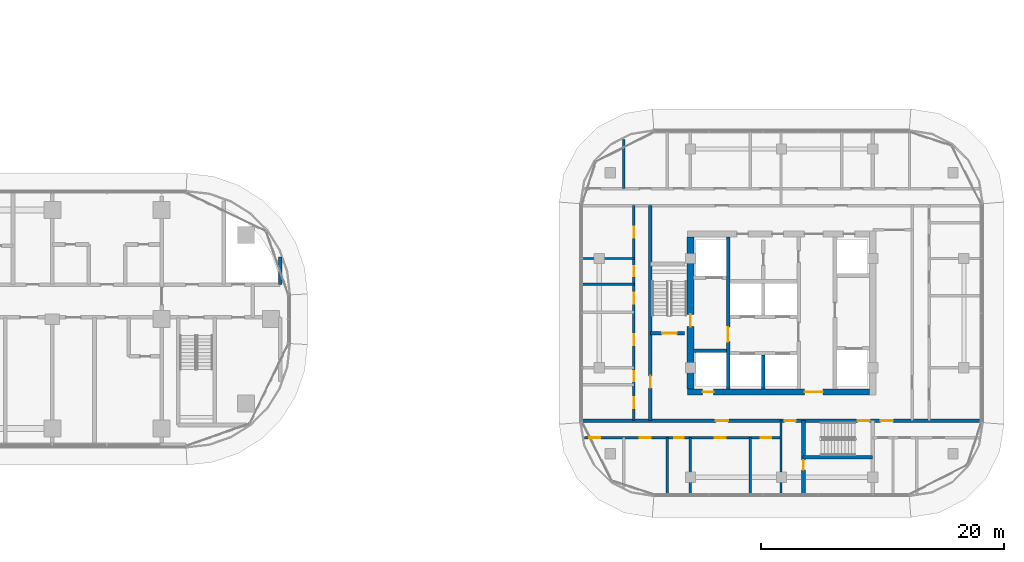
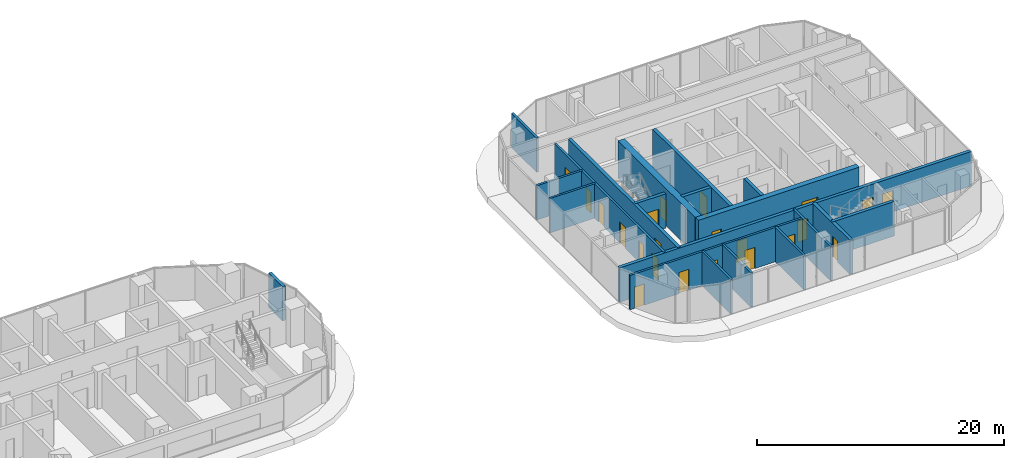
# One storey, part 22 of 36: 22 doors, 20 walls, 22 openings.
"""IFC4 building model written with IfcOpenShell, lengths in metres."""

from ifc_helpers import new_model, si_unit, direction, frame, frame_2d, origin, place, context, subcontext, project, spatial, rectangle, extrude, material, layer, layer_set, type_object, element, fill, save


model = new_model("IFC4")

# Units and contexts
model_context = context("Model", 3, precision=1e-05, world=origin(), true_north=direction((0.0, 1.0)))
body_context = subcontext(model_context, "Body", "Model", "MODEL_VIEW")
ifc_project = project(units=[si_unit("LENGTHUNIT", "METRE"), si_unit("AREAUNIT", "SQUARE_METRE"), si_unit("VOLUMEUNIT", "CUBIC_METRE"), si_unit("PLANEANGLEUNIT", "RADIAN"), si_unit("MASSUNIT", "GRAM", prefix="KILO")], contexts=[model_context])

# Site, building, storey
site_placement = place(None, origin())
site = spatial("IfcSite", under=ifc_project, at=site_placement, CompositionType="ELEMENT")
building_placement = place(site_placement, origin())
building = spatial("IfcBuilding", under=site, at=building_placement, Name="Ogive Portal Towers", CompositionType="ELEMENT")
storey_placement = place(building_placement, frame((0.0, 0.0, 70.5)))
storey = spatial("IfcBuildingStorey", under=building, at=storey_placement, Name="L16", CompositionType="ELEMENT", Elevation=70.5)

# Wall, opening, door
ifc_material_1 = material(Name="Concrete C60/75", Category="concrete")
ifc_layer_1 = layer(ifc_material_1, 0.300048828125)
ifc_layer_set_1 = layer_set([ifc_layer_1], Name="CORE WALL 300 C60")
wall_type_1 = type_object("IfcWallType", Name="CORE WALL 300 C60", PredefinedType="SHEAR", material=ifc_layer_set_1)
wall_1_placement = place(storey_placement, frame((132.10009765625, 24.75, 0.0), z_axis=(0.0, 0.0, 1.0), x_axis=(0.0, 1.0, 0.0)))
wall_1 = element("IfcWall", 1, at=wall_1_placement, inside=storey, type_object=wall_type_1, Name="Tower B core wall BX1 L16", PredefinedType="SHEAR", context=body_context, shape_type="SweptSolid", body=[
    extrude(rectangle(XDim=12.5, YDim=0.300048828125, at=frame_2d((6.25, 0.0))), origin(), (0.0, 0.0, 1.0), 3.699951171875),
])
opening_1_placement = place(wall_1_placement, frame((3.89990234375, 0.0, 0.0)))
opening_1 = element("IfcOpeningElement", 2, at=opening_1_placement, cuts=wall_1, Name="Opening B05-042", PredefinedType="OPENING", context=body_context, shape_type="SweptSolid", body=[
    extrude(rectangle(XDim=1.199951171875, YDim=2.10009765625, at=frame_2d((0.60009765625, 1.050048828125))), frame((0.0, 0.16015625, 0.0), z_axis=(0.0, -1.0, 0.0), x_axis=(1.0, 0.0, 0.0)), (0.0, 0.0, 1.0), 0.320068359375),
])
ifc_material_2 = material(Name="Steel fire door", Category="steel")
door_type_1 = type_object("IfcDoorType", Name="DT-SWING-1200x2100-FD90S", OperationType="SINGLE_SWING_LEFT", PredefinedType="DOOR", material=ifc_material_2)
door_1_placement = place(opening_1_placement, origin())
door_1 = element("IfcDoor", 3, at=door_1_placement, inside=storey, type_object=door_type_1, Name="Door B05-042", OperationType="SINGLE_SWING_LEFT", OverallHeight=2.10009765625, OverallWidth=1.199951171875, PredefinedType="DOOR", context=body_context, shape_type="SweptSolid", body=[
    extrude(rectangle(XDim=1.199951171875, YDim=2.10009765625, at=frame_2d((0.60009765625, 1.050048828125))), frame((0.0, 0.02490234375, 0.0), z_axis=(0.0, -1.0, 0.0), x_axis=(1.0, 0.0, 0.0)), (0.0, 0.0, 1.0), 0.050048828125),
])
fill(opening_1, door_1)

# Walls
wall_2_placement = place(storey_placement, frame((135.0, 24.75, 0.0), z_axis=(0.0, 0.0, 1.0), x_axis=(0.0, 1.0, 0.0)))
element("IfcWall", 4, at=wall_2_placement, inside=storey, type_object=wall_type_1, Name="Tower B core wall BX4 L16", PredefinedType="SHEAR", context=body_context, shape_type="SweptSolid", body=[
    extrude(rectangle(XDim=2.800048828125, YDim=0.300048828125, at=frame_2d((1.39990234375, 0.0))), origin(), (0.0, 0.0, 1.0), 3.699951171875),
])
wall_3_placement = place(storey_placement, frame((129.25, 27.89990234375, 0.0), z_axis=(0.0, 0.0, 1.0), x_axis=(1.0, 0.0, 0.0)))
element("IfcWall", 5, at=wall_3_placement, inside=storey, type_object=wall_type_1, Name="Tower B core wall BY4 L16", PredefinedType="SHEAR", context=body_context, shape_type="SweptSolid", body=[
    extrude(rectangle(XDim=2.699951171875, YDim=0.300048828125, at=frame_2d((1.35009765625, 0.0))), origin(), (0.0, 0.0, 1.0), 3.699951171875),
])

# Wall, openings, doors
ifc_layer_2 = layer(ifc_material_1, 0.5)
ifc_layer_set_2 = layer_set([ifc_layer_2], Name="CORE WALL 500 C60")
wall_type_2 = type_object("IfcWallType", Name="CORE WALL 500 C60", PredefinedType="SHEAR", material=ifc_layer_set_2)
wall_4_placement = place(storey_placement, frame((128.75, 24.5, 0.0), z_axis=(0.0, 0.0, 1.0), x_axis=(1.0, 0.0, 0.0)))
wall_4 = element("IfcWall", 6, at=wall_4_placement, inside=storey, type_object=wall_type_2, Name="Tower B core wall BS L16", PredefinedType="SHEAR", context=body_context, shape_type="SweptSolid", body=[
    extrude(rectangle(XDim=15.0, YDim=0.5, at=frame_2d((7.5, 0.0))), origin(), (0.0, 0.0, 1.0), 3.699951171875),
])
opening_2_placement = place(wall_4_placement, frame((9.64990234375, 0.0, 0.0)))
opening_2 = element("IfcOpeningElement", 7, at=opening_2_placement, cuts=wall_4, Name="Opening B05-045", PredefinedType="OPENING", context=body_context, shape_type="SweptSolid", body=[
    extrude(rectangle(XDim=1.5, YDim=2.10009765625, at=frame_2d((0.75, 1.050048828125))), frame((0.0, 0.260009765625, 0.0), z_axis=(0.0, -1.0, 0.0), x_axis=(1.0, 0.0, 0.0)), (0.0, 0.0, 1.0), 0.52001953125),
])
opening_3_placement = place(wall_4_placement, frame((1.25, 0.0, 0.0)))
opening_3 = element("IfcOpeningElement", 8, at=opening_3_placement, cuts=wall_4, Name="Opening B05-047", PredefinedType="OPENING", context=body_context, shape_type="SweptSolid", body=[
    extrude(rectangle(XDim=0.89990234375, YDim=2.10009765625, at=frame_2d((0.449951171875, 1.050048828125))), frame((0.0, 0.260009765625, 0.0), z_axis=(0.0, -1.0, 0.0), x_axis=(1.0, 0.0, 0.0)), (0.0, 0.0, 1.0), 0.52001953125),
])
door_type_2 = type_object("IfcDoorType", Name="DT-SWING-1500x2100-FD90S", OperationType="SINGLE_SWING_LEFT", PredefinedType="DOOR", material=ifc_material_2)
door_2_placement = place(opening_2_placement, origin())
door_2 = element("IfcDoor", 9, at=door_2_placement, inside=storey, type_object=door_type_2, Name="Door B05-045", OperationType="SINGLE_SWING_LEFT", OverallHeight=2.10009765625, OverallWidth=1.5, PredefinedType="DOOR", context=body_context, shape_type="SweptSolid", body=[
    extrude(rectangle(XDim=1.5, YDim=2.10009765625, at=frame_2d((0.75, 1.050048828125))), frame((0.0, 0.02490234375, 0.0), z_axis=(0.0, -1.0, 0.0), x_axis=(1.0, 0.0, 0.0)), (0.0, 0.0, 1.0), 0.050048828125),
])
fill(opening_2, door_2)
door_type_3 = type_object("IfcDoorType", Name="DT-SWING-900x2100-FD90S", OperationType="SINGLE_SWING_LEFT", PredefinedType="DOOR", material=ifc_material_2)
door_3_placement = place(opening_3_placement, origin())
door_3 = element("IfcDoor", 10, at=door_3_placement, inside=storey, type_object=door_type_3, Name="Riser access door B05-047", OperationType="SINGLE_SWING_LEFT", OverallHeight=2.10009765625, OverallWidth=0.89990234375, PredefinedType="DOOR", context=body_context, shape_type="SweptSolid", body=[
    extrude(rectangle(XDim=0.89990234375, YDim=2.10009765625, at=frame_2d((0.449951171875, 1.050048828125))), frame((0.0, 0.02490234375, 0.0), z_axis=(0.0, -1.0, 0.0), x_axis=(1.0, 0.0, 0.0)), (0.0, 0.0, 1.0), 0.050048828125),
])
fill(opening_3, door_3)

# Wall, opening, door
ifc_layer_3 = layer(ifc_material_1, 0.60009765625)
ifc_layer_set_3 = layer_set([ifc_layer_3], Name="CORE WALL 600 C60")
wall_type_3 = type_object("IfcWallType", Name="CORE WALL 600 C60", PredefinedType="SHEAR", material=ifc_layer_set_3)
wall_5_placement = place(storey_placement, frame((129.0, 24.75, 0.0), z_axis=(0.0, 0.0, 1.0), x_axis=(0.0, 1.0, 0.0)))
wall_5 = element("IfcWall", 11, at=wall_5_placement, inside=storey, type_object=wall_type_3, Name="Tower B core wall BW L16", PredefinedType="SHEAR", context=body_context, shape_type="SweptSolid", body=[
    extrude(rectangle(XDim=12.5, YDim=0.60009765625, at=frame_2d((6.25, 0.0))), origin(), (0.0, 0.0, 1.0), 3.699951171875),
])
opening_4_placement = place(wall_5_placement, frame((5.14990234375, 0.0, 0.0)))
opening_4 = element("IfcOpeningElement", 12, at=opening_4_placement, cuts=wall_5, Name="Opening B05-044", PredefinedType="OPENING", context=body_context, shape_type="SweptSolid", body=[
    extrude(rectangle(XDim=1.0, YDim=2.10009765625, at=frame_2d((0.5, 1.050048828125))), frame((0.0, 0.31005859375, 0.0), z_axis=(0.0, -1.0, 0.0), x_axis=(1.0, 0.0, 0.0)), (0.0, 0.0, 1.0), 0.6201171875),
])
door_type_4 = type_object("IfcDoorType", Name="DT-SWING-1000x2100-FD90S", OperationType="SINGLE_SWING_LEFT", PredefinedType="DOOR", material=ifc_material_2)
door_4_placement = place(opening_4_placement, origin())
door_4 = element("IfcDoor", 13, at=door_4_placement, inside=storey, type_object=door_type_4, Name="Door B05-044", OperationType="SINGLE_SWING_RIGHT", OverallHeight=2.10009765625, OverallWidth=1.0, PredefinedType="DOOR", context=body_context, shape_type="SweptSolid", body=[
    extrude(rectangle(XDim=1.0, YDim=2.10009765625, at=frame_2d((0.5, 1.050048828125))), frame((0.0, 0.02490234375, 0.0), z_axis=(0.0, -1.0, 0.0), x_axis=(1.0, 0.0, 0.0)), (0.0, 0.0, 1.0), 0.050048828125),
])
fill(opening_4, door_4)

# Wall
ifc_material_3 = material(Name="Concrete C50/60", Category="concrete")
ifc_layer_4 = layer(ifc_material_3, 0.300048828125)
ifc_layer_set_4 = layer_set([ifc_layer_4], Name="STAIR WALL 300 C50")
wall_type_4 = type_object("IfcWallType", Name="STAIR WALL 300 C50", PredefinedType="SHEAR", material=ifc_layer_set_4)
wall_6_placement = place(storey_placement, frame((138.25, 19.14990234375, 0.0), z_axis=(0.0, 0.0, 1.0), x_axis=(1.0, 0.0, 0.0)))
element("IfcWall", 14, at=wall_6_placement, inside=storey, type_object=wall_type_4, Name="Stair wall ST-B2 L16", PredefinedType="SHEAR", context=body_context, shape_type="SweptSolid", body=[
    extrude(rectangle(XDim=5.75, YDim=0.300048828125, at=frame_2d((2.875, 0.0))), origin(), (0.0, 0.0, 1.0), 3.39990234375),
])

# Wall, openings, doors
wall_7_placement = place(storey_placement, frame((120.070068359375, 22.14990234375, 0.0), z_axis=(0.0, 0.0, 1.0), x_axis=(1.0, 0.0, 0.0)))
wall_7 = element("IfcWall", 15, at=wall_7_placement, inside=storey, type_object=wall_type_4, Name="Stair wall ST-B2 L16", PredefinedType="SHEAR", context=body_context, shape_type="SweptSolid", body=[
    extrude(rectangle(XDim=32.85986328125, YDim=0.300048828125, at=frame_2d((16.429931640625, 0.0))), origin(), (0.0, 0.0, 1.0), 3.39990234375),
])
opening_5_placement = place(wall_7_placement, frame((22.679931640625, 0.0, 0.0)))
opening_5 = element("IfcOpeningElement", 16, at=opening_5_placement, cuts=wall_7, Name="Opening B05-003", PredefinedType="OPENING", context=body_context, shape_type="SweptSolid", body=[
    extrude(rectangle(XDim=1.0, YDim=2.10009765625, at=frame_2d((0.5, 1.050048828125))), frame((0.0, 0.16015625, 0.0), z_axis=(0.0, -1.0, 0.0), x_axis=(1.0, 0.0, 0.0)), (0.0, 0.0, 1.0), 0.320068359375),
])
opening_6_placement = place(wall_7_placement, frame((11.030029296875, 0.0, 0.0)))
opening_6 = element("IfcOpeningElement", 17, at=opening_6_placement, cuts=wall_7, Name="Opening B05-016", PredefinedType="OPENING", context=body_context, shape_type="SweptSolid", body=[
    extrude(rectangle(XDim=1.0, YDim=2.10009765625, at=frame_2d((0.5, 1.050048828125))), frame((0.0, 0.16015625, 0.0), z_axis=(0.0, -1.0, 0.0), x_axis=(1.0, 0.0, 0.0)), (0.0, 0.0, 1.0), 0.320068359375),
])
opening_7_placement = place(wall_7_placement, frame((24.580078125, 0.0, 0.0)))
opening_7 = element("IfcOpeningElement", 18, at=opening_7_placement, cuts=wall_7, Name="Opening B05-022", PredefinedType="OPENING", context=body_context, shape_type="SweptSolid", body=[
    extrude(rectangle(XDim=1.0, YDim=2.10009765625, at=frame_2d((0.5, 1.050048828125))), frame((0.0, 0.16015625, 0.0), z_axis=(0.0, -1.0, 0.0), x_axis=(1.0, 0.0, 0.0)), (0.0, 0.0, 1.0), 0.320068359375),
])
opening_8_placement = place(wall_7_placement, frame((16.679931640625, 0.0, 0.0)))
opening_8 = element("IfcOpeningElement", 19, at=opening_8_placement, cuts=wall_7, Name="Opening B05-026", PredefinedType="OPENING", context=body_context, shape_type="SweptSolid", body=[
    extrude(rectangle(XDim=0.89990234375, YDim=2.10009765625, at=frame_2d((0.449951171875, 1.050048828125))), frame((0.0, 0.16015625, 0.0), z_axis=(0.0, -1.0, 0.0), x_axis=(1.0, 0.0, 0.0)), (0.0, 0.0, 1.0), 0.320068359375),
])
door_5_placement = place(opening_5_placement, origin())
door_5 = element("IfcDoor", 20, at=door_5_placement, inside=storey, type_object=door_type_4, Name="Door B05-003", OperationType="SINGLE_SWING_LEFT", OverallHeight=2.10009765625, OverallWidth=1.0, PredefinedType="DOOR", context=body_context, shape_type="SweptSolid", body=[
    extrude(rectangle(XDim=1.0, YDim=2.10009765625, at=frame_2d((0.5, 1.050048828125))), frame((0.0, 0.02490234375, 0.0), z_axis=(0.0, -1.0, 0.0), x_axis=(1.0, 0.0, 0.0)), (0.0, 0.0, 1.0), 0.050048828125),
])
fill(opening_5, door_5)
door_6_placement = place(opening_6_placement, origin())
door_6 = element("IfcDoor", 21, at=door_6_placement, inside=storey, type_object=door_type_4, Name="Door B05-016", OperationType="SINGLE_SWING_RIGHT", OverallHeight=2.10009765625, OverallWidth=1.0, PredefinedType="DOOR", context=body_context, shape_type="SweptSolid", body=[
    extrude(rectangle(XDim=1.0, YDim=2.10009765625, at=frame_2d((0.5, 1.050048828125))), frame((0.0, 0.02490234375, 0.0), z_axis=(0.0, -1.0, 0.0), x_axis=(1.0, 0.0, 0.0)), (0.0, 0.0, 1.0), 0.050048828125),
])
fill(opening_6, door_6)
door_7_placement = place(opening_7_placement, origin())
door_7 = element("IfcDoor", 22, at=door_7_placement, inside=storey, type_object=door_type_4, Name="Door B05-022", OperationType="SINGLE_SWING_RIGHT", OverallHeight=2.10009765625, OverallWidth=1.0, PredefinedType="DOOR", context=body_context, shape_type="SweptSolid", body=[
    extrude(rectangle(XDim=1.0, YDim=2.10009765625, at=frame_2d((0.5, 1.050048828125))), frame((0.0, 0.02490234375, 0.0), z_axis=(0.0, -1.0, 0.0), x_axis=(1.0, 0.0, 0.0)), (0.0, 0.0, 1.0), 0.050048828125),
])
fill(opening_7, door_7)
door_8_placement = place(opening_8_placement, origin())
door_8 = element("IfcDoor", 23, at=door_8_placement, inside=storey, type_object=door_type_3, Name="Door B05-026", OperationType="SINGLE_SWING_RIGHT", OverallHeight=2.10009765625, OverallWidth=0.89990234375, PredefinedType="DOOR", context=body_context, shape_type="SweptSolid", body=[
    extrude(rectangle(XDim=0.89990234375, YDim=2.10009765625, at=frame_2d((0.449951171875, 1.050048828125))), frame((0.0, 0.02490234375, 0.0), z_axis=(0.0, -1.0, 0.0), x_axis=(1.0, 0.0, 0.0)), (0.0, 0.0, 1.0), 0.050048828125),
])
fill(opening_8, door_8)

# Wall, opening, door
wall_8_placement = place(storey_placement, frame((125.699951171875, 29.35009765625, 0.0), z_axis=(0.0, 0.0, 1.0), x_axis=(1.0, 0.0, 0.0)))
wall_8 = element("IfcWall", 24, at=wall_8_placement, inside=storey, type_object=wall_type_4, Name="Stair wall ST-B1 L16", PredefinedType="SHEAR", context=body_context, shape_type="SweptSolid", body=[
    extrude(rectangle(XDim=2.830078125, YDim=0.300048828125, at=frame_2d((1.4150390625, 0.0))), origin(), (0.0, 0.0, 1.0), 3.39990234375),
])
opening_9_placement = place(wall_8_placement, frame((0.97509765625, 0.0, 0.0)))
opening_9 = element("IfcOpeningElement", 25, at=opening_9_placement, cuts=wall_8, Name="Opening B05-002", PredefinedType="OPENING", context=body_context, shape_type="SweptSolid", body=[
    extrude(rectangle(XDim=1.199951171875, YDim=2.10009765625, at=frame_2d((0.60009765625, 1.050048828125))), frame((0.0, 0.16015625, 0.0), z_axis=(0.0, -1.0, 0.0), x_axis=(1.0, 0.0, 0.0)), (0.0, 0.0, 1.0), 0.320068359375),
])
door_9_placement = place(opening_9_placement, origin())
door_9 = element("IfcDoor", 26, at=door_9_placement, inside=storey, type_object=door_type_1, Name="Door B05-002", OperationType="SINGLE_SWING_RIGHT", OverallHeight=2.10009765625, OverallWidth=1.199951171875, PredefinedType="DOOR", context=body_context, shape_type="SweptSolid", body=[
    extrude(rectangle(XDim=1.199951171875, YDim=2.10009765625, at=frame_2d((0.60009765625, 1.050048828125))), frame((0.0, 0.02490234375, 0.0), z_axis=(0.0, -1.0, 0.0), x_axis=(1.0, 0.0, 0.0)), (0.0, 0.0, 1.0), 0.050048828125),
])
fill(opening_9, door_9)

wall_9_placement = place(storey_placement, frame((125.699951171875, 22.14990234375, 0.0), z_axis=(0.0, 0.0, 1.0), x_axis=(0.0, 1.0, 0.0)))
wall_9 = element("IfcWall", 27, at=wall_9_placement, inside=storey, type_object=wall_type_4, Name="Stair wall ST-B1 L16", PredefinedType="SHEAR", context=body_context, shape_type="SweptSolid", body=[
    extrude(rectangle(XDim=17.7001953125, YDim=0.300048828125, at=frame_2d((8.85009765625, 0.0))), origin(), (0.0, 0.0, 1.0), 3.39990234375),
])
opening_10_placement = place(wall_9_placement, frame((2.699951171875, 0.0, 0.0)))
opening_10 = element("IfcOpeningElement", 28, at=opening_10_placement, cuts=wall_9, Name="Opening B05-028", PredefinedType="OPENING", context=body_context, shape_type="SweptSolid", body=[
    extrude(rectangle(XDim=1.0, YDim=2.10009765625, at=frame_2d((0.5, 1.050048828125))), frame((0.0, 0.16015625, 0.0), z_axis=(0.0, -1.0, 0.0), x_axis=(1.0, 0.0, 0.0)), (0.0, 0.0, 1.0), 0.320068359375),
])
door_10_placement = place(opening_10_placement, origin())
door_10 = element("IfcDoor", 29, at=door_10_placement, inside=storey, type_object=door_type_4, Name="Door B05-028", OperationType="SINGLE_SWING_RIGHT", OverallHeight=2.10009765625, OverallWidth=1.0, PredefinedType="DOOR", context=body_context, shape_type="SweptSolid", body=[
    extrude(rectangle(XDim=1.0, YDim=2.10009765625, at=frame_2d((0.5, 1.050048828125))), frame((0.0, 0.02490234375, 0.0), z_axis=(0.0, -1.0, 0.0), x_axis=(1.0, 0.0, 0.0)), (0.0, 0.0, 1.0), 0.050048828125),
])
fill(opening_10, door_10)

wall_10_placement = place(storey_placement, frame((138.300048828125, 16.070068359375, 0.0), z_axis=(0.0, 0.0, 1.0), x_axis=(0.0, 1.0, 0.0)))
wall_10 = element("IfcWall", 30, at=wall_10_placement, inside=storey, type_object=wall_type_4, Name="Stair wall ST-B2 L16", PredefinedType="SHEAR", context=body_context, shape_type="SweptSolid", body=[
    extrude(rectangle(XDim=6.079833984375, YDim=0.300048828125, at=frame_2d((3.0400390625, 0.0))), origin(), (0.0, 0.0, 1.0), 3.39990234375),
])
opening_11_placement = place(wall_10_placement, frame((2.030029296875, 0.0, 0.0)))
opening_11 = element("IfcOpeningElement", 31, at=opening_11_placement, cuts=wall_10, Name="Opening B05-027", PredefinedType="OPENING", context=body_context, shape_type="SweptSolid", body=[
    extrude(rectangle(XDim=0.800048828125, YDim=2.10009765625, at=frame_2d((0.39990234375, 1.050048828125))), frame((0.0, 0.16015625, 0.0), z_axis=(0.0, -1.0, 0.0), x_axis=(1.0, 0.0, 0.0)), (0.0, 0.0, 1.0), 0.320068359375),
])
door_type_5 = type_object("IfcDoorType", Name="DT-SWING-800x2100-FD90S", OperationType="SINGLE_SWING_LEFT", PredefinedType="DOOR", material=ifc_material_2)
door_11_placement = place(opening_11_placement, origin())
door_11 = element("IfcDoor", 32, at=door_11_placement, inside=storey, type_object=door_type_5, Name="Door B05-027", OperationType="SINGLE_SWING_LEFT", OverallHeight=2.10009765625, OverallWidth=0.800048828125, PredefinedType="DOOR", context=body_context, shape_type="SweptSolid", body=[
    extrude(rectangle(XDim=0.800048828125, YDim=2.10009765625, at=frame_2d((0.39990234375, 1.050048828125))), frame((0.0, 0.02490234375, 0.0), z_axis=(0.0, -1.0, 0.0), x_axis=(1.0, 0.0, 0.0)), (0.0, 0.0, 1.0), 0.050048828125),
])
fill(opening_11, door_11)

# Wall, openings, doors
ifc_material_4 = material(Name="Gypsum board partition on steel studs", Category="steel")
ifc_layer_5 = layer(ifc_material_4, 0.199951171875)
ifc_layer_set_5 = layer_set([ifc_layer_5], Name="WT-PART-200-EI 60")
wall_type_5 = type_object("IfcWallType", Name="WT-PART-200-EI 60", PredefinedType="PARTITIONING", material=ifc_layer_set_5)
wall_11_placement = place(storey_placement, frame((120.26904296875, 20.75, 0.0), z_axis=(0.0, 0.0, 1.0), x_axis=(1.0, 0.0, 0.0)))
wall_11 = element("IfcWall", 33, at=wall_11_placement, inside=storey, type_object=wall_type_5, Name="Wall L16:w002", PredefinedType="PARTITIONING", context=body_context, shape_type="SweptSolid", body=[
    extrude(rectangle(XDim=16.23095703125, YDim=0.199951171875, at=frame_2d((8.115478515625, 0.0))), origin(), (0.0, 0.0, 1.0), 3.39990234375),
])
opening_12_placement = place(wall_11_placement, frame((0.4140625, 0.0, 0.0)))
opening_12 = element("IfcOpeningElement", 34, at=opening_12_placement, cuts=wall_11, Name="Opening B05-017", PredefinedType="OPENING", context=body_context, shape_type="SweptSolid", body=[
    extrude(rectangle(XDim=0.89990234375, YDim=2.10009765625, at=frame_2d((0.449951171875, 1.050048828125))), frame((0.0, 0.10986328125, 0.0), z_axis=(0.0, -1.0, 0.0), x_axis=(1.0, 0.0, 0.0)), (0.0, 0.0, 1.0), 0.219970703125),
])
opening_13_placement = place(wall_11_placement, frame((4.5810546875, 0.0, 0.0)))
opening_13 = element("IfcOpeningElement", 35, at=opening_13_placement, cuts=wall_11, Name="Opening B05-018", PredefinedType="OPENING", context=body_context, shape_type="SweptSolid", body=[
    extrude(rectangle(XDim=0.89990234375, YDim=2.10009765625, at=frame_2d((0.449951171875, 1.050048828125))), frame((0.0, 0.10986328125, 0.0), z_axis=(0.0, -1.0, 0.0), x_axis=(1.0, 0.0, 0.0)), (0.0, 0.0, 1.0), 0.219970703125),
])
opening_14_placement = place(wall_11_placement, frame((7.381103515625, 0.0, 0.0)))
opening_14 = element("IfcOpeningElement", 36, at=opening_14_placement, cuts=wall_11, Name="Opening B05-019", PredefinedType="OPENING", context=body_context, shape_type="SweptSolid", body=[
    extrude(rectangle(XDim=0.800048828125, YDim=2.10009765625, at=frame_2d((0.39990234375, 1.050048828125))), frame((0.0, 0.10986328125, 0.0), z_axis=(0.0, -1.0, 0.0), x_axis=(1.0, 0.0, 0.0)), (0.0, 0.0, 1.0), 0.219970703125),
])
opening_15_placement = place(wall_11_placement, frame((10.748046875, 0.0, 0.0)))
opening_15 = element("IfcOpeningElement", 37, at=opening_15_placement, cuts=wall_11, Name="Opening B05-020", PredefinedType="OPENING", context=body_context, shape_type="SweptSolid", body=[
    extrude(rectangle(XDim=0.89990234375, YDim=2.10009765625, at=frame_2d((0.449951171875, 1.050048828125))), frame((0.0, 0.10986328125, 0.0), z_axis=(0.0, -1.0, 0.0), x_axis=(1.0, 0.0, 0.0)), (0.0, 0.0, 1.0), 0.219970703125),
])
opening_16_placement = place(wall_11_placement, frame((14.498046875, 0.0, 0.0)))
opening_16 = element("IfcOpeningElement", 38, at=opening_16_placement, cuts=wall_11, Name="Opening B05-021", PredefinedType="OPENING", context=body_context, shape_type="SweptSolid", body=[
    extrude(rectangle(XDim=0.89990234375, YDim=2.10009765625, at=frame_2d((0.449951171875, 1.050048828125))), frame((0.0, 0.10986328125, 0.0), z_axis=(0.0, -1.0, 0.0), x_axis=(1.0, 0.0, 0.0)), (0.0, 0.0, 1.0), 0.219970703125),
])
door_type_6 = type_object("IfcDoorType", Name="DT-SWING-800x2100-FD60S", OperationType="SINGLE_SWING_LEFT", PredefinedType="DOOR", material=ifc_material_2)
door_12_placement = place(opening_14_placement, origin())
door_12 = element("IfcDoor", 39, at=door_12_placement, inside=storey, type_object=door_type_6, Name="Door B05-019", OperationType="SINGLE_SWING_LEFT", OverallHeight=2.10009765625, OverallWidth=0.800048828125, PredefinedType="DOOR", context=body_context, shape_type="SweptSolid", body=[
    extrude(rectangle(XDim=0.800048828125, YDim=2.10009765625, at=frame_2d((0.39990234375, 1.050048828125))), frame((0.0, 0.02490234375, 0.0), z_axis=(0.0, -1.0, 0.0), x_axis=(1.0, 0.0, 0.0)), (0.0, 0.0, 1.0), 0.050048828125),
])
fill(opening_14, door_12)
door_type_7 = type_object("IfcDoorType", Name="DT-SWING-900x2100-FD60S", OperationType="SINGLE_SWING_LEFT", PredefinedType="DOOR", material=ifc_material_2)
door_13_placement = place(opening_12_placement, origin())
door_13 = element("IfcDoor", 40, at=door_13_placement, inside=storey, type_object=door_type_7, Name="Door B05-017", OperationType="SINGLE_SWING_LEFT", OverallHeight=2.10009765625, OverallWidth=0.89990234375, PredefinedType="DOOR", context=body_context, shape_type="SweptSolid", body=[
    extrude(rectangle(XDim=0.89990234375, YDim=2.10009765625, at=frame_2d((0.449951171875, 1.050048828125))), frame((0.0, 0.02490234375, 0.0), z_axis=(0.0, -1.0, 0.0), x_axis=(1.0, 0.0, 0.0)), (0.0, 0.0, 1.0), 0.050048828125),
])
fill(opening_12, door_13)
door_14_placement = place(opening_13_placement, origin())
door_14 = element("IfcDoor", 41, at=door_14_placement, inside=storey, type_object=door_type_7, Name="Door B05-018", OperationType="SINGLE_SWING_RIGHT", OverallHeight=2.10009765625, OverallWidth=0.89990234375, PredefinedType="DOOR", context=body_context, shape_type="SweptSolid", body=[
    extrude(rectangle(XDim=0.89990234375, YDim=2.10009765625, at=frame_2d((0.449951171875, 1.050048828125))), frame((0.0, 0.02490234375, 0.0), z_axis=(0.0, -1.0, 0.0), x_axis=(1.0, 0.0, 0.0)), (0.0, 0.0, 1.0), 0.050048828125),
])
fill(opening_13, door_14)
door_15_placement = place(opening_15_placement, origin())
door_15 = element("IfcDoor", 42, at=door_15_placement, inside=storey, type_object=door_type_7, Name="Door B05-020", OperationType="SINGLE_SWING_RIGHT", OverallHeight=2.10009765625, OverallWidth=0.89990234375, PredefinedType="DOOR", context=body_context, shape_type="SweptSolid", body=[
    extrude(rectangle(XDim=0.89990234375, YDim=2.10009765625, at=frame_2d((0.449951171875, 1.050048828125))), frame((0.0, 0.02490234375, 0.0), z_axis=(0.0, -1.0, 0.0), x_axis=(1.0, 0.0, 0.0)), (0.0, 0.0, 1.0), 0.050048828125),
])
fill(opening_15, door_15)
door_16_placement = place(opening_16_placement, origin())
door_16 = element("IfcDoor", 43, at=door_16_placement, inside=storey, type_object=door_type_7, Name="Door B05-021", OperationType="SINGLE_SWING_LEFT", OverallHeight=2.10009765625, OverallWidth=0.89990234375, PredefinedType="DOOR", context=body_context, shape_type="SweptSolid", body=[
    extrude(rectangle(XDim=0.89990234375, YDim=2.10009765625, at=frame_2d((0.449951171875, 1.050048828125))), frame((0.0, 0.02490234375, 0.0), z_axis=(0.0, -1.0, 0.0), x_axis=(1.0, 0.0, 0.0)), (0.0, 0.0, 1.0), 0.050048828125),
])
fill(opening_16, door_16)

# Walls
for number, where, z_axis, x_axis, name in (
    (44, (120.070068359375, 33.39111328125, 0.0), (0.0, 0.0, 1.0), (1.0, 0.0, 0.0), "Wall L16:w013"),
    (45, (120.070068359375, 35.5, 0.0), (0.0, 0.0, 1.0), (1.0, 0.0, 0.0), "Wall L16:w015"),
):
    element("IfcWall", number, at=place(storey_placement, frame(where, z_axis=z_axis, x_axis=x_axis)), inside=storey, type_object=wall_type_5, Name=name, PredefinedType="PARTITIONING", context=body_context, shape_type="SweptSolid", body=[
        extrude(rectangle(XDim=4.280029296875, YDim=0.199951171875, at=frame_2d((2.14013671875, 0.0))), origin(), (0.0, 0.0, 1.0), 3.39990234375),
    ])
wall_12_placement = place(storey_placement, frame((123.5, 41.25, 0.0), z_axis=(0.0, 0.0, 1.0), x_axis=(0.0, 1.0, 0.0)))
element("IfcWall", 46, at=wall_12_placement, inside=storey, type_object=wall_type_5, Name="Wall L16:w023", PredefinedType="PARTITIONING", context=body_context, shape_type="SweptSolid", body=[
    extrude(rectangle(XDim=4.049072265625, YDim=0.199951171875, at=frame_2d((2.0244140625, 0.0))), origin(), (0.0, 0.0, 1.0), 3.39990234375),
])

# Wall, openings, doors
wall_13_placement = place(storey_placement, frame((124.35009765625, 22.14990234375, 0.0), z_axis=(0.0, 0.0, 1.0), x_axis=(0.0, 1.0, 0.0)))
wall_13 = element("IfcWall", 47, at=wall_13_placement, inside=storey, type_object=wall_type_5, Name="Wall L16:w024", PredefinedType="PARTITIONING", context=body_context, shape_type="SweptSolid", body=[
    extrude(rectangle(XDim=17.7001953125, YDim=0.199951171875, at=frame_2d((8.85009765625, 0.0))), origin(), (0.0, 0.0, 1.0), 3.39990234375),
])
opening_17_placement = place(wall_13_placement, frame((1.028076171875, 0.0, 0.0)))
opening_17 = element("IfcOpeningElement", 48, at=opening_17_placement, cuts=wall_13, Name="Opening B05-029", PredefinedType="OPENING", context=body_context, shape_type="SweptSolid", body=[
    extrude(rectangle(XDim=0.89990234375, YDim=2.10009765625, at=frame_2d((0.449951171875, 1.050048828125))), frame((0.0, 0.10986328125, 0.0), z_axis=(0.0, -1.0, 0.0), x_axis=(1.0, 0.0, 0.0)), (0.0, 0.0, 1.0), 0.219970703125),
])
opening_18_placement = place(wall_13_placement, frame((3.2529296875, 0.0, 0.0)))
opening_18 = element("IfcOpeningElement", 49, at=opening_18_placement, cuts=wall_13, Name="Opening B05-030", PredefinedType="OPENING", context=body_context, shape_type="SweptSolid", body=[
    extrude(rectangle(XDim=0.800048828125, YDim=2.10009765625, at=frame_2d((0.39990234375, 1.050048828125))), frame((0.0, 0.10986328125, 0.0), z_axis=(0.0, -1.0, 0.0), x_axis=(1.0, 0.0, 0.0)), (0.0, 0.0, 1.0), 0.219970703125),
])
opening_19_placement = place(wall_13_placement, frame((6.195068359375, 0.0, 0.0)))
opening_19 = element("IfcOpeningElement", 50, at=opening_19_placement, cuts=wall_13, Name="Opening B05-031", PredefinedType="OPENING", context=body_context, shape_type="SweptSolid", body=[
    extrude(rectangle(XDim=0.89990234375, YDim=2.10009765625, at=frame_2d((0.449951171875, 1.050048828125))), frame((0.0, 0.10986328125, 0.0), z_axis=(0.0, -1.0, 0.0), x_axis=(1.0, 0.0, 0.0)), (0.0, 0.0, 1.0), 0.219970703125),
])
opening_20_placement = place(wall_13_placement, frame((9.64111328125, 0.0, 0.0)))
opening_20 = element("IfcOpeningElement", 51, at=opening_20_placement, cuts=wall_13, Name="Opening B05-032", PredefinedType="OPENING", context=body_context, shape_type="SweptSolid", body=[
    extrude(rectangle(XDim=0.89990234375, YDim=2.10009765625, at=frame_2d((0.449951171875, 1.050048828125))), frame((0.0, 0.10986328125, 0.0), z_axis=(0.0, -1.0, 0.0), x_axis=(1.0, 0.0, 0.0)), (0.0, 0.0, 1.0), 0.219970703125),
])
opening_21_placement = place(wall_13_placement, frame((11.89501953125, 0.0, 0.0)))
opening_21 = element("IfcOpeningElement", 52, at=opening_21_placement, cuts=wall_13, Name="Opening B05-033", PredefinedType="OPENING", context=body_context, shape_type="SweptSolid", body=[
    extrude(rectangle(XDim=0.800048828125, YDim=2.10009765625, at=frame_2d((0.39990234375, 1.050048828125))), frame((0.0, 0.10986328125, 0.0), z_axis=(0.0, -1.0, 0.0), x_axis=(1.0, 0.0, 0.0)), (0.0, 0.0, 1.0), 0.219970703125),
])
opening_22_placement = place(wall_13_placement, frame((15.074951171875, 0.0, 0.0)))
opening_22 = element("IfcOpeningElement", 53, at=opening_22_placement, cuts=wall_13, Name="Opening B05-034", PredefinedType="OPENING", context=body_context, shape_type="SweptSolid", body=[
    extrude(rectangle(XDim=0.89990234375, YDim=2.10009765625, at=frame_2d((0.449951171875, 1.050048828125))), frame((0.0, 0.10986328125, 0.0), z_axis=(0.0, -1.0, 0.0), x_axis=(1.0, 0.0, 0.0)), (0.0, 0.0, 1.0), 0.219970703125),
])
door_17_placement = place(opening_18_placement, origin())
door_17 = element("IfcDoor", 54, at=door_17_placement, inside=storey, type_object=door_type_6, Name="Door B05-030", OperationType="SINGLE_SWING_RIGHT", OverallHeight=2.10009765625, OverallWidth=0.800048828125, PredefinedType="DOOR", context=body_context, shape_type="SweptSolid", body=[
    extrude(rectangle(XDim=0.800048828125, YDim=2.10009765625, at=frame_2d((0.39990234375, 1.050048828125))), frame((0.0, 0.02490234375, 0.0), z_axis=(0.0, -1.0, 0.0), x_axis=(1.0, 0.0, 0.0)), (0.0, 0.0, 1.0), 0.050048828125),
])
fill(opening_18, door_17)
door_18_placement = place(opening_21_placement, origin())
door_18 = element("IfcDoor", 55, at=door_18_placement, inside=storey, type_object=door_type_6, Name="Door B05-033", OperationType="SINGLE_SWING_LEFT", OverallHeight=2.10009765625, OverallWidth=0.800048828125, PredefinedType="DOOR", context=body_context, shape_type="SweptSolid", body=[
    extrude(rectangle(XDim=0.800048828125, YDim=2.10009765625, at=frame_2d((0.39990234375, 1.050048828125))), frame((0.0, 0.02490234375, 0.0), z_axis=(0.0, -1.0, 0.0), x_axis=(1.0, 0.0, 0.0)), (0.0, 0.0, 1.0), 0.050048828125),
])
fill(opening_21, door_18)
door_19_placement = place(opening_17_placement, origin())
door_19 = element("IfcDoor", 56, at=door_19_placement, inside=storey, type_object=door_type_7, Name="Door B05-029", OperationType="SINGLE_SWING_LEFT", OverallHeight=2.10009765625, OverallWidth=0.89990234375, PredefinedType="DOOR", context=body_context, shape_type="SweptSolid", body=[
    extrude(rectangle(XDim=0.89990234375, YDim=2.10009765625, at=frame_2d((0.449951171875, 1.050048828125))), frame((0.0, 0.02490234375, 0.0), z_axis=(0.0, -1.0, 0.0), x_axis=(1.0, 0.0, 0.0)), (0.0, 0.0, 1.0), 0.050048828125),
])
fill(opening_17, door_19)
door_20_placement = place(opening_19_placement, origin())
door_20 = element("IfcDoor", 57, at=door_20_placement, inside=storey, type_object=door_type_7, Name="Door B05-031", OperationType="SINGLE_SWING_LEFT", OverallHeight=2.10009765625, OverallWidth=0.89990234375, PredefinedType="DOOR", context=body_context, shape_type="SweptSolid", body=[
    extrude(rectangle(XDim=0.89990234375, YDim=2.10009765625, at=frame_2d((0.449951171875, 1.050048828125))), frame((0.0, 0.02490234375, 0.0), z_axis=(0.0, -1.0, 0.0), x_axis=(1.0, 0.0, 0.0)), (0.0, 0.0, 1.0), 0.050048828125),
])
fill(opening_19, door_20)
door_21_placement = place(opening_20_placement, origin())
door_21 = element("IfcDoor", 58, at=door_21_placement, inside=storey, type_object=door_type_7, Name="Door B05-032", OperationType="SINGLE_SWING_RIGHT", OverallHeight=2.10009765625, OverallWidth=0.89990234375, PredefinedType="DOOR", context=body_context, shape_type="SweptSolid", body=[
    extrude(rectangle(XDim=0.89990234375, YDim=2.10009765625, at=frame_2d((0.449951171875, 1.050048828125))), frame((0.0, 0.02490234375, 0.0), z_axis=(0.0, -1.0, 0.0), x_axis=(1.0, 0.0, 0.0)), (0.0, 0.0, 1.0), 0.050048828125),
])
fill(opening_20, door_21)
door_22_placement = place(opening_22_placement, origin())
door_22 = element("IfcDoor", 59, at=door_22_placement, inside=storey, type_object=door_type_7, Name="Door B05-034", OperationType="SINGLE_SWING_RIGHT", OverallHeight=2.10009765625, OverallWidth=0.89990234375, PredefinedType="DOOR", context=body_context, shape_type="SweptSolid", body=[
    extrude(rectangle(XDim=0.89990234375, YDim=2.10009765625, at=frame_2d((0.449951171875, 1.050048828125))), frame((0.0, 0.02490234375, 0.0), z_axis=(0.0, -1.0, 0.0), x_axis=(1.0, 0.0, 0.0)), (0.0, 0.0, 1.0), 0.050048828125),
])
fill(opening_22, door_22)

# Walls
for number, where, z_axis, x_axis, name in (
    (60, (127.10009765625, 16.070068359375, 0.0), (0.0, 0.0, 1.0), (0.0, 1.0, 0.0), "Wall L16:w026"),
    (61, (129.0, 16.070068359375, 0.0), (0.0, 0.0, 1.0), (0.0, 1.0, 0.0), "Wall L16:w030"),
    (62, (133.93310546875, 16.070068359375, 0.0), (0.0, 0.0, 1.0), (0.0, 1.0, 0.0), "Wall L16:w032"),
):
    element("IfcWall", number, at=place(storey_placement, frame(where, z_axis=z_axis, x_axis=x_axis)), inside=storey, type_object=wall_type_5, Name=name, PredefinedType="PARTITIONING", context=body_context, shape_type="SweptSolid", body=[
        extrude(rectangle(XDim=4.679931640625, YDim=0.199951171875, at=frame_2d((2.33984375, 0.0))), origin(), (0.0, 0.0, 1.0), 3.39990234375),
    ])
wall_14_placement = place(storey_placement, frame((136.449951171875, 16.070068359375, 0.0), z_axis=(0.0, 0.0, 1.0), x_axis=(0.0, 1.0, 0.0)))
element("IfcWall", 63, at=wall_14_placement, inside=storey, type_object=wall_type_5, Name="Wall L16:w035", PredefinedType="PARTITIONING", context=body_context, shape_type="SweptSolid", body=[
    extrude(rectangle(XDim=6.079833984375, YDim=0.199951171875, at=frame_2d((3.0400390625, 0.0))), origin(), (0.0, 0.0, 1.0), 3.39990234375),
])
ifc_layer_6 = layer(ifc_material_4, 0.300048828125)
ifc_layer_set_6 = layer_set([ifc_layer_6], Name="WT-PART-300-EI 60")
wall_type_6 = type_object("IfcWallType", Name="WT-PART-300-EI 60", PredefinedType="PARTITIONING", material=ifc_layer_set_6)
wall_15_placement = place(storey_placement, frame((95.25, 33.35009765625, 0.0), z_axis=(0.0, 0.0, 1.0), x_axis=(0.0, 1.0, 0.0)))
element("IfcWall", 64, at=wall_15_placement, inside=storey, type_object=wall_type_6, Name="Wall L16:w066", PredefinedType="PARTITIONING", context=body_context, shape_type="SweptSolid", body=[
    extrude(rectangle(XDim=2.262939453125, YDim=0.300048828125, at=frame_2d((1.13134765625, 0.0))), origin(), (0.0, 0.0, 1.0), 3.39990234375),
])

save(model, "model.ifc")
